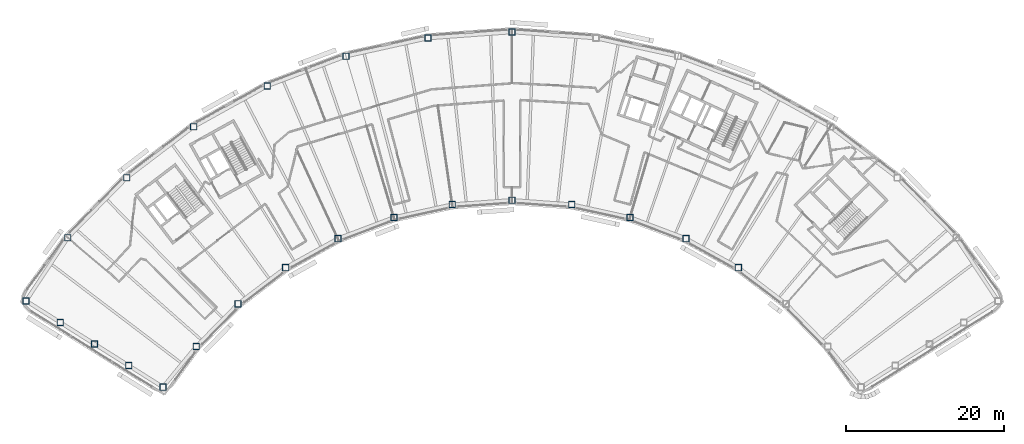
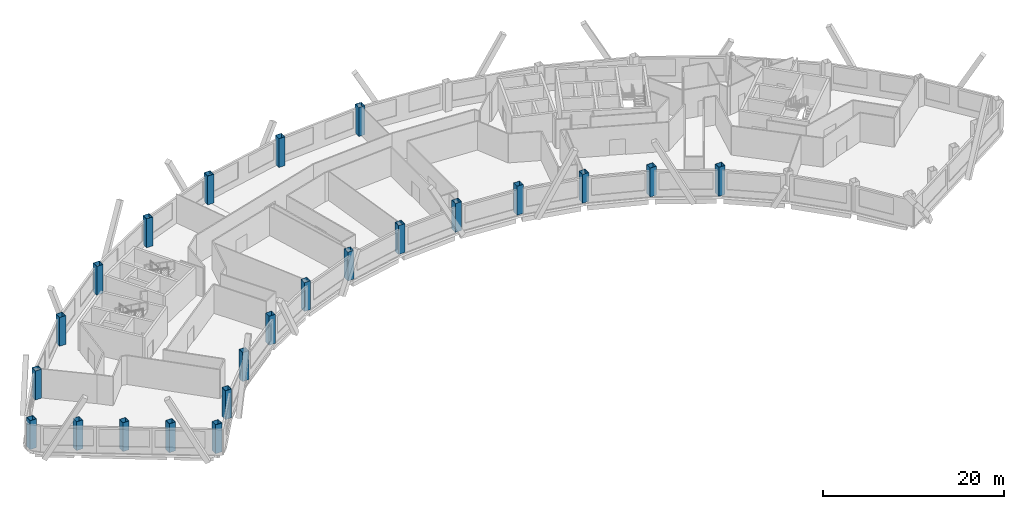
# One storey, part 1 of 13: 23 columns.
"""IFC4 building model written with IfcOpenShell, lengths in metres."""

from ifc_helpers import new_model, si_unit, direction, frame, origin, origin_2d, place, context, subcontext, project, spatial, hollow_rectangle, extrude, material, material_profile, profile_set, type_object, element, save


model = new_model("IFC4")

# Units and contexts
model_context = context("Model", 3, precision=1e-05, world=origin(), true_north=direction((0.0, 1.0)))
body_context = subcontext(model_context, "Body", "Model", "MODEL_VIEW")
ifc_project = project(units=[si_unit("LENGTHUNIT", "METRE"), si_unit("AREAUNIT", "SQUARE_METRE"), si_unit("VOLUMEUNIT", "CUBIC_METRE"), si_unit("PLANEANGLEUNIT", "RADIAN"), si_unit("MASSUNIT", "GRAM", prefix="KILO")], contexts=[model_context])

# Site, building, storey
site_placement = place(None, origin())
site = spatial("IfcSite", under=ifc_project, at=site_placement, CompositionType="ELEMENT")
building_placement = place(site_placement, origin())
building = spatial("IfcBuilding", under=site, at=building_placement, Name="Tuul Gate Civic Tower", CompositionType="ELEMENT")
storey_placement = place(building_placement, frame((0.0, 0.0, 302.60009765625)))
storey = spatial("IfcBuildingStorey", under=building, at=storey_placement, Name="Level 68", CompositionType="ELEMENT", Elevation=302.60009765625)

# Columns
ifc_material = material(Name="Steel S355", Category="steel")
ifc_material_profile = material_profile(ifc_material, hollow_rectangle(XDim=0.800048828125, YDim=0.800048828125, WallThickness=0.031982421875, at=origin_2d()), Name="BOX800x800x32")
ifc_profile_set = profile_set([ifc_material_profile], Name="Steel S355")
column_type = type_object("IfcColumnType", Name="STR-COLUMN-BOX800x800x32", PredefinedType="COLUMN", material=ifc_profile_set)
for number, where, z_axis, x_axis, name in (
    (1, (6.7880859375, 9.23193359375, 0.0), (0.0, 0.0, 1.0), (1.0, 0.0, 0.0), "Column"),
    (2, (-3.861083984375, 8.4599609375, 0.0), (0.0, 0.0, 1.0), (1.0, 0.0, 0.0), "Column"),
    (3, (-14.2880859375, 6.162109375, 0.0), (0.0, 0.0, 1.0), (1.0, 0.0, 0.0), "Column"),
    (4, (-24.27587890625, 2.385009765625, 0.0), (0.0, 0.0, 1.0), (1.0, 0.0, 0.0), "Column"),
    (5, (-33.614013671875, -2.791015625, 0.0), (0.0, 0.0, 1.0), (1.0, 0.0, 0.0), "Column"),
    (6, (-42.10888671875, -9.259033203125, 0.0), (0.0, 0.0, 1.0), (1.0, 0.0, 0.0), "Column"),
    (7, (-49.583984375, -16.884033203125, 0.0), (0.0, 0.0, 1.0), (1.0, 0.0, 0.0), "Column"),
    (8, (-54.883056640625, -24.89697265625, 0.0), (0.0, 0.0, 1.0), (1.0, 0.0, 0.0), "Column"),
    (9, (-50.5400390625, -27.631103515625, 0.0), (0.0, 0.0, 1.0), (1.0, 0.0, 0.0), "Column"),
    (10, (-46.197998046875, -30.365966796875, 0.0), (0.0, 0.0, 1.0), (1.0, 0.0, 0.0), "Column"),
    (11, (-41.85498046875, -33.10009765625, 0.0), (0.0, 0.0, 1.0), (1.0, 0.0, 0.0), "Column"),
    (12, (-37.512939453125, -35.8349609375, 0.0), (0.0, 0.0, 1.0), (1.0, 0.0, 0.0), "Column"),
    (13, (-33.29296875, -30.693115234375, 0.0), (0.0, 0.0, 1.0), (1.0, 0.0, 0.0), "Column"),
    (14, (-27.97900390625, -25.27099609375, 0.0), (0.0, 0.0, 1.0), (1.0, 0.0, 0.0), "Column"),
    (15, (-21.93798828125, -20.672119140625, 0.0), (0.0, 0.0, 1.0), (1.0, 0.0, 0.0), "Column"),
    (16, (-15.298095703125, -16.991943359375, 0.0), (0.0, 0.0, 1.0), (1.0, 0.0, 0.0), "Column"),
    (17, (-8.197998046875, -14.306884765625, 0.0), (0.0, 0.0, 1.0), (1.0, 0.0, 0.0), "Column"),
    (18, (-0.783935546875, -12.673095703125, 0.0), (0.0, 0.0, 1.0), (1.0, 0.0, 0.0), "Column"),
    (19, (6.7880859375, -12.1240234375, 0.0), (0.0, 0.0, 1.0), (1.0, 0.0, 0.0), "Column"),
    (20, (14.360107421875, -12.673095703125, 0.0), (0.0, 0.0, 1.0), (1.0, 0.0, 0.0), "Column"),
    (21, (21.77392578125, -14.306884765625, 0.0), (0.0, 0.0, 1.0), (1.0, 0.0, 0.0), "Column"),
    (22, (28.875, -16.991943359375, 0.0), (0.0, 0.0, 1.0), (1.0, 0.0, 0.0), "Column"),
    (23, (35.514892578125, -20.672119140625, 0.0), (0.0, 0.0, 1.0), (1.0, 0.0, 0.0), "Column"),
):
    element("IfcColumn", number, at=place(storey_placement, frame(where, z_axis=z_axis, x_axis=x_axis)), inside=storey, type_object=column_type, Name=name, PredefinedType="COLUMN", context=body_context, shape_type="SweptSolid", body=[
        extrude(hollow_rectangle(XDim=0.800048828125, YDim=0.800048828125, WallThickness=0.031982421875, at=origin_2d()), origin(), (0.0, 0.0, 1.0), 3.89990234375),
    ])

save(model, "model.ifc")
